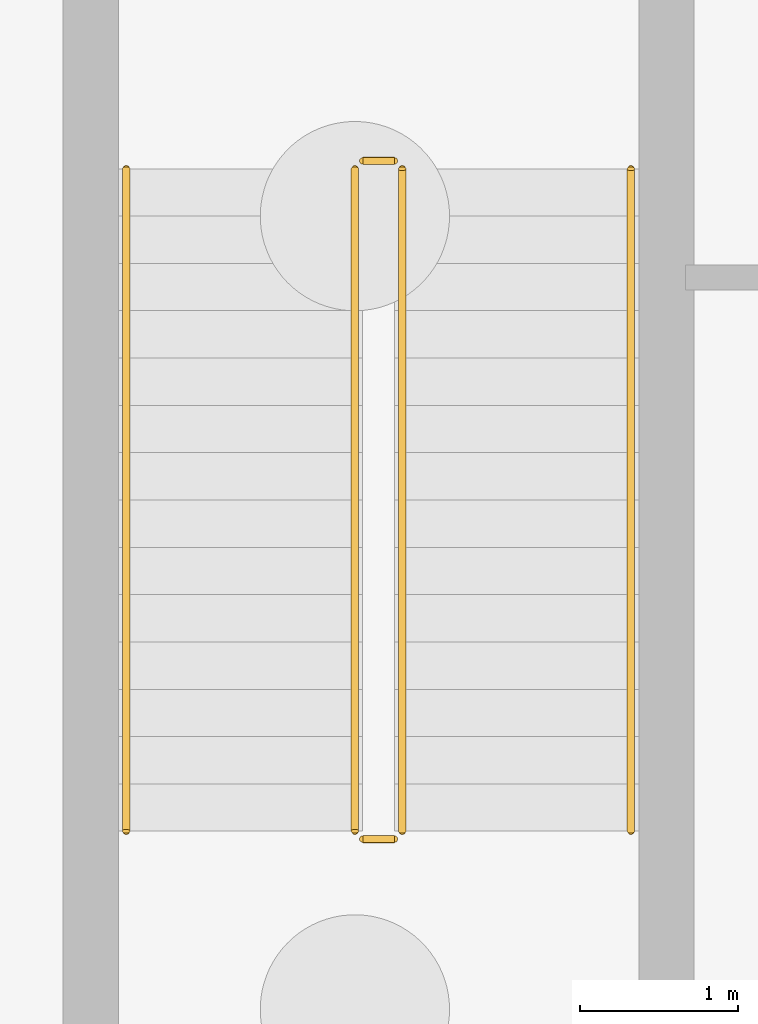
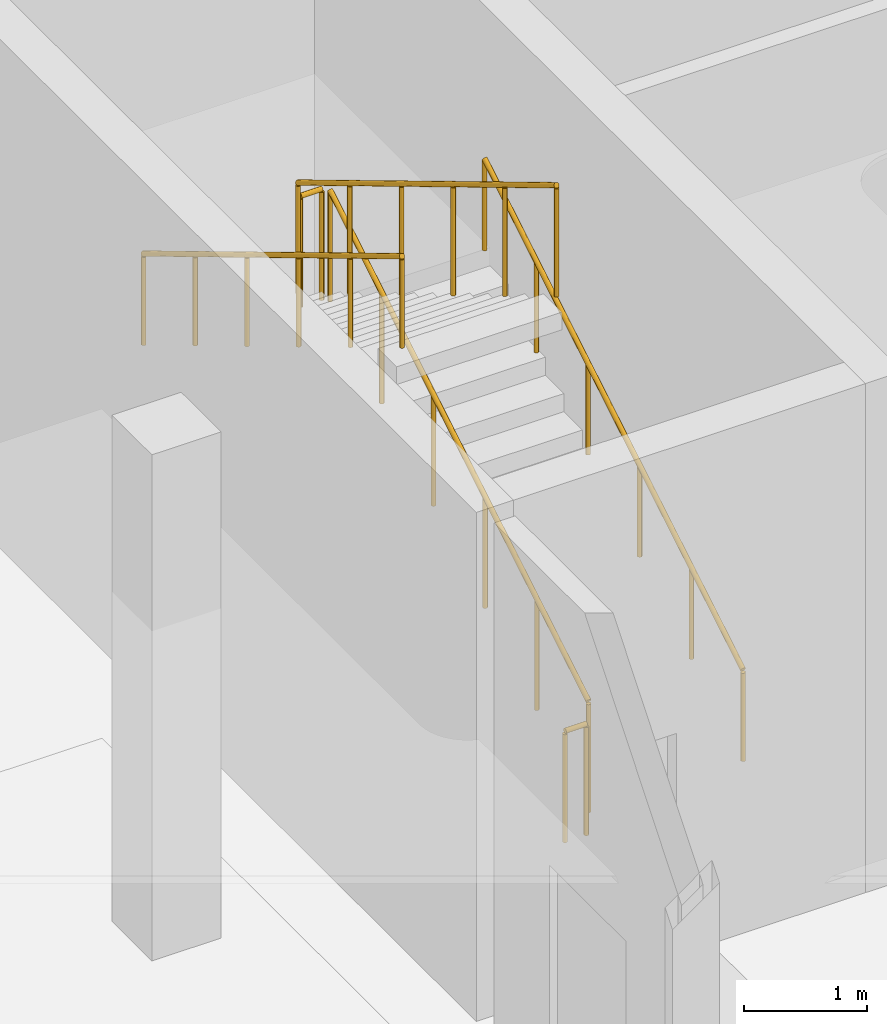
# One storey, part 23 of 33: 6 railings.
"""IFC4 building model written with IfcOpenShell, lengths in metres."""

import ifcopenshell
import ifcopenshell.guid

model = None  # the IFC model being written
_history = None  # IfcOwnerHistory: only IFC2X3 demands one
_inside = {}  # id of a spatial element -> (the spatial element, [elements in it])
_under = {}  # id of a project, library or spatial element -> (it, [spatial elements below it])
_declared = {}  # id of a project -> (the project, [libraries it declares])
_typed = {}  # id of a type object -> (the type object, [elements of that type])
_made_of = {}  # id of a material, layer set ... -> (it, [elements and type objects made of it])


def new_model(schema):
    """Start an empty IFC model of exactly this schema.

    Asked for "IFC4X3", IfcOpenShell would pick the latest addendum, in which some entities
    have other attributes; the version numbers below select the first issue.
    IFC2X3 requires an IfcOwnerHistory on every rooted entity: one is made here for all.
    """
    global model, _history
    if schema == "IFC4X3":
        model = ifcopenshell.file(schema_version=(4, 3, 0, 0))
    else:
        model = ifcopenshell.file(schema=schema)
    _inside.clear()
    _under.clear()
    _declared.clear()
    _typed.clear()
    _made_of.clear()
    _history = None
    if model.schema == "IFC2X3":
        org = make("IfcOrganization", Name="unknown")
        user = make(
            "IfcPersonAndOrganization",
            ThePerson=make("IfcPerson", FamilyName="unknown"),
            TheOrganization=org,
        )
        app = make(
            "IfcApplication",
            ApplicationDeveloper=org,
            Version="unknown",
            ApplicationFullName="unknown",
            ApplicationIdentifier="unknown",
        )
        _history = make(
            "IfcOwnerHistory",
            OwningUser=user,
            OwningApplication=app,
            ChangeAction="ADDED",
            CreationDate=0,
        )
    return model


def make(cls, **values):
    """One entity of the class cls with the attributes given. An attribute that is None is left unset."""
    return model.create_entity(
        cls, **{name: value for name, value in values.items() if value is not None}
    )


def rooted(cls, **values):
    """An entity with a GlobalId (a new one), such as an element, a storey or a relation."""
    return make(cls, GlobalId=ifcopenshell.guid.new(), OwnerHistory=_history, **values)


def si_unit(unit_type, name, prefix=None):
    """IfcSIUnit, for example si_unit("LENGTHUNIT", "METRE", prefix="MILLI")."""
    return make("IfcSIUnit", UnitType=unit_type, Prefix=prefix, Name=name)


def assignment(units):
    """IfcUnitAssignment: the units of a project."""
    return None if units is None else make("IfcUnitAssignment", Units=units)


def point(xyz):
    """IfcCartesianPoint."""
    return None if xyz is None else make("IfcCartesianPoint", Coordinates=xyz)


def direction(xyz):
    """IfcDirection."""
    return None if xyz is None else make("IfcDirection", DirectionRatios=xyz)


def frame(location, z_axis=None, x_axis=None):
    """IfcAxis2Placement3D, a coordinate frame: its origin and axes. An axis left out is left unset."""
    return make(
        "IfcAxis2Placement3D",
        Location=point(location),
        Axis=direction(z_axis),
        RefDirection=direction(x_axis),
    )


def frame_2d(location, x_axis=None):
    """IfcAxis2Placement2D, a coordinate frame in the plane: its origin and x axis."""
    return make(
        "IfcAxis2Placement2D", Location=point(location), RefDirection=direction(x_axis)
    )


def origin():
    """The frame at (0, 0, 0) with its axes left unset."""
    return frame((0.0, 0.0, 0.0))


def origin_2d():
    """The frame at (0, 0) in the plane with its x axis left unset."""
    return frame_2d((0.0, 0.0))


def place(relative_to, where):
    """IfcLocalPlacement: puts the frame where relative to a parent placement (None: the world)."""
    return make(
        "IfcLocalPlacement", PlacementRelTo=relative_to, RelativePlacement=where
    )


def context(
    kind, dimensions, precision=None, world=None, true_north=None, identifier=None
):
    """IfcGeometricRepresentationContext, for example the 3D "Model" context."""
    return make(
        "IfcGeometricRepresentationContext",
        ContextIdentifier=identifier,
        ContextType=kind,
        CoordinateSpaceDimension=dimensions,
        Precision=precision,
        WorldCoordinateSystem=world,
        TrueNorth=true_north,
    )


def subcontext(parent, identifier, kind, view, scale=None):
    """IfcGeometricRepresentationSubContext, for example "Body" below "Model"."""
    return make(
        "IfcGeometricRepresentationSubContext",
        ContextIdentifier=identifier,
        ContextType=kind,
        ParentContext=parent,
        TargetScale=scale,
        TargetView=view,
    )


def project(units=None, contexts=None):
    """IfcProject with its units and contexts."""
    return rooted(
        "IfcProject",
        Name="project",
        RepresentationContexts=contexts,
        UnitsInContext=assignment(units),
    )


def spatial(cls, under=None, at=None, **own):
    """A site, building, storey or space (cls), placed at a placement, below another one or the project."""
    s = rooted(cls, ObjectPlacement=at, **own)
    if under is not None:
        _under.setdefault(under.id(), (under, []))[1].append(s)
    return s


def profile(cls, at=None, kind="AREA", **sizes):
    """A parametric profile (cls). Its sizes go by their IFC names, for example OverallWidth=200.0."""
    return make(cls, ProfileType=kind, Position=at, **sizes)


def circle(**sizes):
    """IfcCircleProfileDef."""
    return profile("IfcCircleProfileDef", **sizes)


def extrude(swept, where, along, depth):
    """IfcExtrudedAreaSolid: the profile swept, set in the frame where, extruded along a direction by depth."""
    return make(
        "IfcExtrudedAreaSolid",
        SweptArea=swept,
        Position=where,
        ExtrudedDirection=direction(along),
        Depth=depth,
    )


def shape(context_of_items, identifier, shape_type, items):
    """IfcShapeRepresentation: the items that make up one representation, for example the "Body"."""
    return make(
        "IfcShapeRepresentation",
        ContextOfItems=context_of_items,
        RepresentationIdentifier=identifier,
        RepresentationType=shape_type,
        Items=items,
    )


def material(Name=None, Category=None):
    """IfcMaterial."""
    return make("IfcMaterial", Name=Name, Category=Category)


def made_of(thing, what):
    """Note that an element or type object is made of a material, layer set ...; save() writes the relation."""
    if what is not None:
        _made_of.setdefault(what.id(), (what, []))[1].append(thing)
    return thing


def type_object(cls, material=None, **own):
    """A type object (cls), such as IfcWallType, which elements share."""
    return made_of(rooted(cls, **own), material)


def element(
    cls,
    number,
    at=None,
    inside=None,
    cuts=None,
    type_object=None,
    material=None,
    context=None,
    identifier="Body",
    shape_type=None,
    held_by="IfcProductDefinitionShape",
    body=None,
    shapes=None,
    **own,
):
    """One element of the class cls, such as IfcWall. Its Tag is "e" and its number.

    at: its placement. inside: the storey or other place that contains it. cuts: it is an
    opening in that element (IfcRelVoidsElement). A single representation is given by context,
    identifier, shape_type and body (its items); several are given by shapes. held_by: the class
    of the entity that holds the representations. save() writes the other relations.
    """
    e = rooted(cls, Tag="e%d" % number, ObjectPlacement=at, **own)
    if body is not None:
        shapes = [shape(context, identifier, shape_type, body)]
    if shapes is not None:
        e.Representation = make(held_by, Representations=shapes)
    if inside is not None:
        _inside.setdefault(inside.id(), (inside, []))[1].append(e)
    if cuts is not None:
        rooted(
            "IfcRelVoidsElement", RelatingBuildingElement=cuts, RelatedOpeningElement=e
        )
    if type_object is not None:
        _typed.setdefault(type_object.id(), (type_object, []))[1].append(e)
    return made_of(e, material)


def aggregate(whole, parts):
    """IfcRelAggregates: a whole, such as a stair, and the parts it consists of."""
    return rooted("IfcRelAggregates", RelatingObject=whole, RelatedObjects=parts)


def save(model, path):
    """Write the relations noted so far, then the file.

    IfcRelAggregates (storeys below a building ...), IfcRelContainedInSpatialStructure (elements
    in a storey), IfcRelDefinesByType, IfcRelAssociatesMaterial and IfcRelDeclares: one each for
    every whole, place, type object, material and project.
    """
    for whole, parts in _under.values():
        aggregate(whole, parts)
    for where, things in _inside.values():
        rooted(
            "IfcRelContainedInSpatialStructure",
            RelatedElements=things,
            RelatingStructure=where,
        )
    for kind, things in _typed.values():
        rooted("IfcRelDefinesByType", RelatedObjects=things, RelatingType=kind)
    for what, things in _made_of.values():
        rooted("IfcRelAssociatesMaterial", RelatedObjects=things, RelatingMaterial=what)
    for by, libraries in _declared.values():
        rooted("IfcRelDeclares", RelatingContext=by, RelatedDefinitions=libraries)
    model.write(path)


model = new_model("IFC4")

# Units and contexts
model_context = context("Model", 3, precision=1e-05, world=origin(), true_north=direction((0.0, 1.0)))
body_context = subcontext(model_context, "Body", "Model", "MODEL_VIEW")
ifc_project = project(units=[si_unit("LENGTHUNIT", "METRE"), si_unit("AREAUNIT", "SQUARE_METRE"), si_unit("VOLUMEUNIT", "CUBIC_METRE"), si_unit("PLANEANGLEUNIT", "RADIAN"), si_unit("MASSUNIT", "GRAM", prefix="KILO")], contexts=[model_context])

# Site, building, storey
site_placement = place(None, origin())
site = spatial("IfcSite", under=ifc_project, at=site_placement, CompositionType="ELEMENT")
building_placement = place(site_placement, origin())
building = spatial("IfcBuilding", under=site, at=building_placement, Name="Soyqirgoq Riverine Aquarium", CompositionType="ELEMENT")
storey_placement = place(building_placement, frame((0.0, 0.0, -5.39990234375)))
storey = spatial("IfcBuildingStorey", under=building, at=storey_placement, Name="B01", CompositionType="ELEMENT", Elevation=-5.39990234375)

# Railings
ifc_material_1 = material(Name="Brushed stainless steel 316L tubular handrail", Category="steel")
railing_type_1 = type_object("IfcRailingType", Name="StairPitchHandrail_920", PredefinedType="HANDRAIL", material=ifc_material_1)
railing_1_placement = place(storey_placement, frame((127.75, 9.050048828125, 0.179931640625)))
element("IfcRailing", 1, at=railing_1_placement, inside=storey, type_object=railing_type_1, Name="B01 ST-7 stair handrail 1", PredefinedType="HANDRAIL", context=body_context, shape_type="SweptSolid", body=[
    extrude(circle(Radius=0.02392578125, at=origin_2d()), frame((0.0, 0.0, 0.89990234375), z_axis=(0.0, 0.857488527567, 0.514503085598), x_axis=(-1.0, 0.0, 0.0)), (0.0, 0.0, 1.0), 4.89794921875),
    extrude(circle(Radius=0.02099609375, at=origin_2d()), origin(), (0.0, 0.0, 1.0), 0.875732421875),
    extrude(circle(Radius=0.02099609375, at=origin_2d()), frame((0.0, 0.840087890625, 0.50390625)), (0.0, 0.0, 1.0), 0.875732421875),
    extrude(circle(Radius=0.02099609375, at=origin_2d()), frame((0.0, 1.679931640625, 1.008056640625)), (0.0, 0.0, 1.0), 0.875732421875),
    extrude(circle(Radius=0.02099609375, at=origin_2d()), frame((0.0, 2.52001953125, 1.511962890625)), (0.0, 0.0, 1.0), 0.875732421875),
    extrude(circle(Radius=0.02099609375, at=origin_2d()), frame((0.0, 3.35986328125, 2.01611328125)), (0.0, 0.0, 1.0), 0.875732421875),
    extrude(circle(Radius=0.02099609375, at=origin_2d()), frame((0.0, 4.199951171875, 2.52001953125)), (0.0, 0.0, 1.0), 0.875732421875),
])
railing_2_placement = place(storey_placement, frame((124.550048828125, 13.25, 2.8798828125)))
element("IfcRailing", 2, at=railing_2_placement, inside=storey, type_object=railing_type_1, Name="B01 ST-7 stair handrail 2", PredefinedType="HANDRAIL", context=body_context, shape_type="SweptSolid", body=[
    extrude(circle(Radius=0.02392578125, at=origin_2d()), frame((0.0, 0.0, 0.89990234375), z_axis=(0.0, -0.857488527567, 0.514503085598), x_axis=(1.0, 0.0, 0.0)), (0.0, 0.0, 1.0), 4.89794921875),
    extrude(circle(Radius=0.02099609375, at=origin_2d()), origin(), (0.0, 0.0, 1.0), 0.875732421875),
    extrude(circle(Radius=0.02099609375, at=origin_2d()), frame((0.0, -0.840087890625, 0.50390625)), (0.0, 0.0, 1.0), 0.875732421875),
    extrude(circle(Radius=0.02099609375, at=origin_2d()), frame((0.0, -1.679931640625, 1.008056640625)), (0.0, 0.0, 1.0), 0.875732421875),
    extrude(circle(Radius=0.02099609375, at=origin_2d()), frame((0.0, -2.52001953125, 1.511962890625)), (0.0, 0.0, 1.0), 0.875732421875),
    extrude(circle(Radius=0.02099609375, at=origin_2d()), frame((0.0, -3.35986328125, 2.01611328125)), (0.0, 0.0, 1.0), 0.875732421875),
    extrude(circle(Radius=0.02099609375, at=origin_2d()), frame((0.0, -4.199951171875, 2.52001953125)), (0.0, 0.0, 1.0), 0.875732421875),
])
ifc_material_2 = material(Name="Painted steel infill stair-well guardrail", Category="steel")
railing_type_2 = type_object("IfcRailingType", Name="StairWellGuard_1120", PredefinedType="GUARDRAIL", material=ifc_material_2)
railing_3_placement = place(storey_placement, frame((126.300048828125, 9.050048828125, 0.179931640625)))
element("IfcRailing", 3, at=railing_3_placement, inside=storey, type_object=railing_type_2, Name="B01 ST-7 stair guard 1", PredefinedType="GUARDRAIL", context=body_context, shape_type="SweptSolid", body=[
    extrude(circle(Radius=0.02392578125, at=origin_2d()), frame((0.0, 0.0, 1.09619140625), z_axis=(0.0, 0.857488527567, 0.514503085598), x_axis=(-1.0, 0.0, 0.0)), (0.0, 0.0, 1.0), 4.89794921875),
    extrude(circle(Radius=0.02099609375, at=origin_2d()), origin(), (0.0, 0.0, 1.0), 1.072021484375),
    extrude(circle(Radius=0.02099609375, at=origin_2d()), frame((0.0, 0.840087890625, 0.50390625)), (0.0, 0.0, 1.0), 1.072021484375),
    extrude(circle(Radius=0.02099609375, at=origin_2d()), frame((0.0, 1.679931640625, 1.008056640625)), (0.0, 0.0, 1.0), 1.072021484375),
    extrude(circle(Radius=0.02099609375, at=origin_2d()), frame((0.0, 2.52001953125, 1.511962890625)), (0.0, 0.0, 1.0), 1.072021484375),
    extrude(circle(Radius=0.02099609375, at=origin_2d()), frame((0.0, 3.35986328125, 2.01611328125)), (0.0, 0.0, 1.0), 1.072021484375),
    extrude(circle(Radius=0.02099609375, at=origin_2d()), frame((0.0, 4.199951171875, 2.52001953125)), (0.0, 0.0, 1.0), 1.072021484375),
])
railing_4_placement = place(storey_placement, frame((126.25, 13.300048828125, 2.699951171875)))
element("IfcRailing", 4, at=railing_4_placement, inside=storey, type_object=railing_type_2, Name="B01 ST-7 stair guard 2", PredefinedType="GUARDRAIL", context=body_context, shape_type="SweptSolid", body=[
    extrude(circle(Radius=0.02392578125, at=origin_2d()), frame((0.0, 0.0, 1.09619140625), z_axis=(-1.0, 0.0, 0.0), x_axis=(0.0, -1.0, 0.0)), (0.0, 0.0, 1.0), 0.199951171875),
    extrude(circle(Radius=0.02099609375, at=origin_2d()), origin(), (0.0, 0.0, 1.0), 1.072021484375),
    extrude(circle(Radius=0.02099609375, at=origin_2d()), frame((-0.199951171875, 0.0, 0.0)), (0.0, 0.0, 1.0), 1.072021484375),
])
railing_5_placement = place(storey_placement, frame((126.0, 13.25, 2.8798828125)))
element("IfcRailing", 5, at=railing_5_placement, inside=storey, type_object=railing_type_2, Name="B01 ST-7 stair guard 3", PredefinedType="GUARDRAIL", context=body_context, shape_type="SweptSolid", body=[
    extrude(circle(Radius=0.02392578125, at=origin_2d()), frame((0.0, 0.0, 1.09619140625), z_axis=(0.0, -0.857488527567, 0.514503085598), x_axis=(1.0, 0.0, 0.0)), (0.0, 0.0, 1.0), 4.89794921875),
    extrude(circle(Radius=0.02099609375, at=origin_2d()), origin(), (0.0, 0.0, 1.0), 1.072021484375),
    extrude(circle(Radius=0.02099609375, at=origin_2d()), frame((0.0, -0.840087890625, 0.50390625)), (0.0, 0.0, 1.0), 1.072021484375),
    extrude(circle(Radius=0.02099609375, at=origin_2d()), frame((0.0, -1.679931640625, 1.008056640625)), (0.0, 0.0, 1.0), 1.072021484375),
    extrude(circle(Radius=0.02099609375, at=origin_2d()), frame((0.0, -2.52001953125, 1.511962890625)), (0.0, 0.0, 1.0), 1.072021484375),
    extrude(circle(Radius=0.02099609375, at=origin_2d()), frame((0.0, -3.35986328125, 2.01611328125)), (0.0, 0.0, 1.0), 1.072021484375),
    extrude(circle(Radius=0.02099609375, at=origin_2d()), frame((0.0, -4.199951171875, 2.52001953125)), (0.0, 0.0, 1.0), 1.072021484375),
])
railing_6_placement = place(storey_placement, frame((126.25, 9.0, 0.0)))
element("IfcRailing", 6, at=railing_6_placement, inside=storey, type_object=railing_type_2, Name="B01 ST-7 stair guard 4", PredefinedType="GUARDRAIL", context=body_context, shape_type="SweptSolid", body=[
    extrude(circle(Radius=0.02392578125, at=origin_2d()), frame((0.0, 0.0, 1.09619140625), z_axis=(-1.0, 0.0, 0.0), x_axis=(0.0, -1.0, 0.0)), (0.0, 0.0, 1.0), 0.199951171875),
    extrude(circle(Radius=0.02099609375, at=origin_2d()), origin(), (0.0, 0.0, 1.0), 1.072021484375),
    extrude(circle(Radius=0.02099609375, at=origin_2d()), frame((-0.199951171875, 0.0, 0.0)), (0.0, 0.0, 1.0), 1.072021484375),
])

save(model, "model.ifc")
